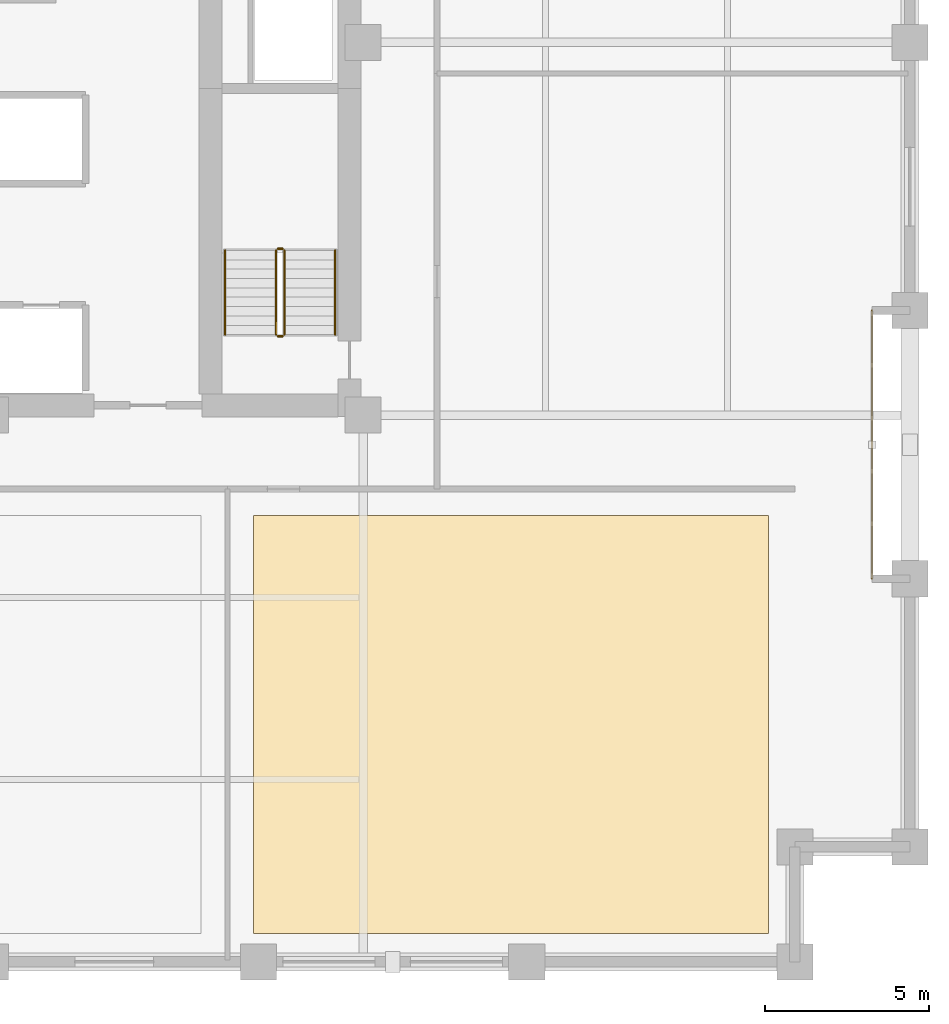
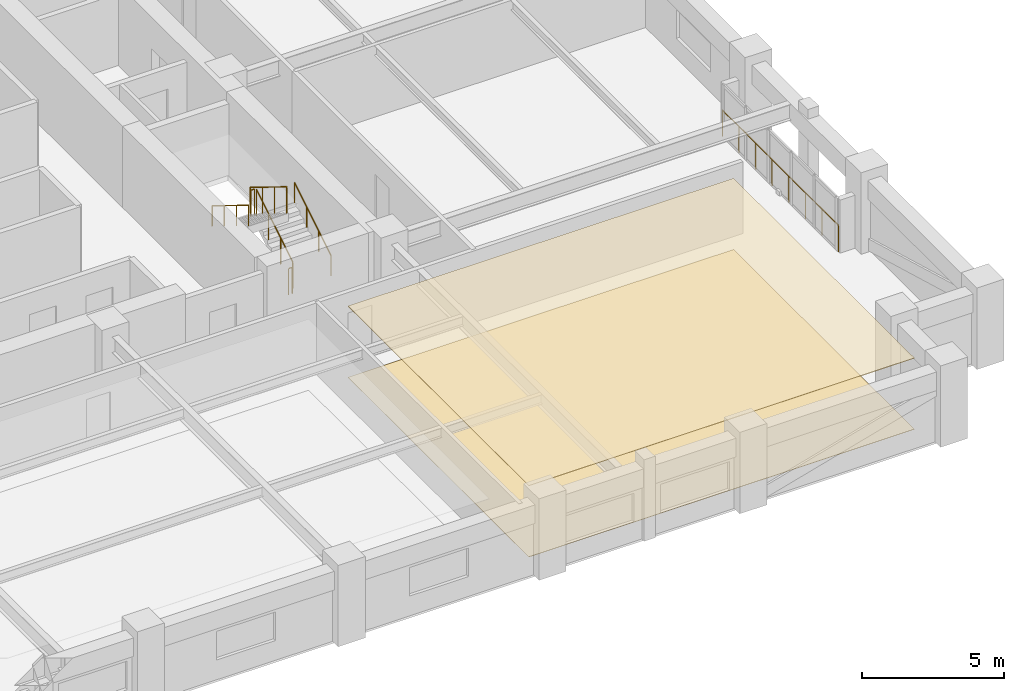
# One storey, part 10 of 12: 7 railings, 2 coverings.
"""IFC4 building model written with IfcOpenShell, lengths in metres."""

from ifc_helpers import new_model, si_unit, direction, frame, origin, origin_2d, place, context, subcontext, project, spatial, polyline, circle, outline, extrude, material, layer, layer_set, type_object, element, save


model = new_model("IFC4")

# Units and contexts
model_context = context("Model", 3, precision=1e-05, world=origin(), true_north=direction((0.0, 1.0)))
body_context = subcontext(model_context, "Body", "Model", "MODEL_VIEW")
ifc_project = project(units=[si_unit("LENGTHUNIT", "METRE"), si_unit("AREAUNIT", "SQUARE_METRE"), si_unit("VOLUMEUNIT", "CUBIC_METRE"), si_unit("PLANEANGLEUNIT", "RADIAN"), si_unit("MASSUNIT", "GRAM", prefix="KILO")], contexts=[model_context])

# Site, building, storey
site_placement = place(None, origin())
site = spatial("IfcSite", under=ifc_project, at=site_placement, CompositionType="ELEMENT")
building_placement = place(site_placement, origin())
building = spatial("IfcBuilding", under=site, at=building_placement, Name="Nhamokura Convention Tower", CompositionType="ELEMENT")
storey_placement = place(building_placement, frame((0.0, 0.0, 96.25)))
storey = spatial("IfcBuildingStorey", under=building, at=storey_placement, Name="L23", CompositionType="ELEMENT", Elevation=96.25)

# Covering
ifc_material_1 = material(Name="Mineral-fibre acoustic ceiling tile", Category="gypsum")
ifc_layer_1 = layer(ifc_material_1, 0.02490234375)
ifc_layer_set_1 = layer_set([ifc_layer_1], Name="AcousticTileCeiling_25")
covering_type_1 = type_object("IfcCoveringType", Name="AcousticTileCeiling_25", PredefinedType="CEILING", material=ifc_layer_set_1)
covering_1_placement = place(storey_placement, frame((0.0, 0.0, 3.054931640625)))
element("IfcCovering", 1, at=covering_1_placement, inside=storey, type_object=covering_type_1, Name="L23 Suspended Ceiling 02", PredefinedType="CEILING", context=body_context, shape_type="SweptSolid", body=[
    extrude(outline(polyline([(40.0166015625, 4.860107421875), (55.699951171875, 4.860107421875), (55.699951171875, 17.60009765625), (40.0166015625, 17.60009765625), (40.0166015625, 4.860107421875)])), origin(), (0.0, 0.0, 1.0), 0.025146484375),
])

# Railings
ifc_material_2 = material(Name="Anodised bronze stainless steel", Category="steel")
railing_type_1 = type_object("IfcRailingType", Name="StairWallHandrail_900", PredefinedType="HANDRAIL", material=ifc_material_2)
railing_1_placement = place(storey_placement, frame((42.5, 23.10009765625, 0.175048828125)))
element("IfcRailing", 2, at=railing_1_placement, inside=storey, type_object=railing_type_1, Name="L23 ST-02 stair handrail 1", PredefinedType="HANDRAIL", context=body_context, shape_type="SweptSolid", body=[
    extrude(circle(Radius=0.02392578125, at=origin_2d()), frame((0.0, 0.0, 0.8759765625), z_axis=(0.0, 0.852173129349, 0.523259933127), x_axis=(-1.0, 0.0, 0.0)), (0.0, 0.0, 1.0), 3.009765625),
    extrude(circle(Radius=0.02099609375, at=origin_2d()), origin(), (0.0, 0.0, 1.0), 0.851806640625),
    extrude(circle(Radius=0.02099609375, at=origin_2d()), frame((0.0, 0.85498046875, 0.52490234375)), (0.0, 0.0, 1.0), 0.851806640625),
    extrude(circle(Radius=0.02099609375, at=origin_2d()), frame((0.0, 1.7099609375, 1.050048828125)), (0.0, 0.0, 1.0), 0.851806640625),
    extrude(circle(Radius=0.02099609375, at=origin_2d()), frame((0.0, 2.56494140625, 1.574951171875)), (0.0, 0.0, 1.0), 0.851806640625),
])
railing_2_placement = place(storey_placement, frame((39.14990234375, 25.6650390625, 1.925048828125)))
element("IfcRailing", 3, at=railing_2_placement, inside=storey, type_object=railing_type_1, Name="L23 ST-02 stair handrail 2", PredefinedType="HANDRAIL", context=body_context, shape_type="SweptSolid", body=[
    extrude(circle(Radius=0.02392578125, at=origin_2d()), frame((0.0, 0.0, 0.8759765625), z_axis=(0.0, -0.852173129349, 0.523259933127), x_axis=(1.0, 0.0, 0.0)), (0.0, 0.0, 1.0), 3.009765625),
    extrude(circle(Radius=0.02099609375, at=origin_2d()), origin(), (0.0, 0.0, 1.0), 0.851806640625),
    extrude(circle(Radius=0.02099609375, at=origin_2d()), frame((0.0, -0.85498046875, 0.52490234375)), (0.0, 0.0, 1.0), 0.851806640625),
    extrude(circle(Radius=0.02099609375, at=origin_2d()), frame((0.0, -1.7099609375, 1.050048828125)), (0.0, 0.0, 1.0), 0.851806640625),
    extrude(circle(Radius=0.02099609375, at=origin_2d()), frame((0.0, -2.56494140625, 1.574951171875)), (0.0, 0.0, 1.0), 0.851806640625),
])
ifc_material_3 = material(Name="Painted tubular steel", Category="steel")
railing_type_2 = type_object("IfcRailingType", Name="StairWellGuardrail_1150", PredefinedType="GUARDRAIL", material=ifc_material_3)
railing_3_placement = place(storey_placement, frame((40.949951171875, 23.10009765625, 0.175048828125)))
element("IfcRailing", 4, at=railing_3_placement, inside=storey, type_object=railing_type_2, Name="L23 ST-02 stair guard 1", PredefinedType="GUARDRAIL", context=body_context, shape_type="SweptSolid", body=[
    extrude(circle(Radius=0.02392578125, at=origin_2d()), frame((0.0, 0.0, 1.1259765625), z_axis=(0.0, 0.852173129349, 0.523259933127), x_axis=(-1.0, 0.0, 0.0)), (0.0, 0.0, 1.0), 3.009765625),
    extrude(circle(Radius=0.02099609375, at=origin_2d()), origin(), (0.0, 0.0, 1.0), 1.101806640625),
    extrude(circle(Radius=0.02099609375, at=origin_2d()), frame((0.0, 0.85498046875, 0.52490234375)), (0.0, 0.0, 1.0), 1.101806640625),
    extrude(circle(Radius=0.02099609375, at=origin_2d()), frame((0.0, 1.7099609375, 1.050048828125)), (0.0, 0.0, 1.0), 1.101806640625),
    extrude(circle(Radius=0.02099609375, at=origin_2d()), frame((0.0, 2.56494140625, 1.574951171875)), (0.0, 0.0, 1.0), 1.101806640625),
])
railing_4_placement = place(storey_placement, frame((40.89990234375, 25.715087890625, 1.75)))
element("IfcRailing", 5, at=railing_4_placement, inside=storey, type_object=railing_type_2, Name="L23 ST-02 stair guard 2", PredefinedType="GUARDRAIL", context=body_context, shape_type="SweptSolid", body=[
    extrude(circle(Radius=0.02392578125, at=origin_2d()), frame((0.0, 0.0, 1.1259765625), z_axis=(-1.0, 0.0, 0.0), x_axis=(0.0, -1.0, 0.0)), (0.0, 0.0, 1.0), 0.14990234375),
    extrude(circle(Radius=0.02099609375, at=origin_2d()), origin(), (0.0, 0.0, 1.0), 1.101806640625),
    extrude(circle(Radius=0.02099609375, at=origin_2d()), frame((-0.14990234375, 0.0, 0.0)), (0.0, 0.0, 1.0), 1.101806640625),
])
railing_5_placement = place(storey_placement, frame((40.699951171875, 25.6650390625, 1.925048828125)))
element("IfcRailing", 6, at=railing_5_placement, inside=storey, type_object=railing_type_2, Name="L23 ST-02 stair guard 3", PredefinedType="GUARDRAIL", context=body_context, shape_type="SweptSolid", body=[
    extrude(circle(Radius=0.02392578125, at=origin_2d()), frame((0.0, 0.0, 1.1259765625), z_axis=(0.0, -0.852173129349, 0.523259933127), x_axis=(1.0, 0.0, 0.0)), (0.0, 0.0, 1.0), 3.009765625),
    extrude(circle(Radius=0.02099609375, at=origin_2d()), origin(), (0.0, 0.0, 1.0), 1.101806640625),
    extrude(circle(Radius=0.02099609375, at=origin_2d()), frame((0.0, -0.85498046875, 0.52490234375)), (0.0, 0.0, 1.0), 1.101806640625),
    extrude(circle(Radius=0.02099609375, at=origin_2d()), frame((0.0, -1.7099609375, 1.050048828125)), (0.0, 0.0, 1.0), 1.101806640625),
    extrude(circle(Radius=0.02099609375, at=origin_2d()), frame((0.0, -2.56494140625, 1.574951171875)), (0.0, 0.0, 1.0), 1.101806640625),
])
railing_6_placement = place(storey_placement, frame((40.89990234375, 23.050048828125, 0.0)))
element("IfcRailing", 7, at=railing_6_placement, inside=storey, type_object=railing_type_2, Name="L23 ST-02 stair guard 4", PredefinedType="GUARDRAIL", context=body_context, shape_type="SweptSolid", body=[
    extrude(circle(Radius=0.02392578125, at=origin_2d()), frame((0.0, 0.0, 1.1259765625), z_axis=(-1.0, 0.0, 0.0), x_axis=(0.0, -1.0, 0.0)), (0.0, 0.0, 1.0), 0.14990234375),
    extrude(circle(Radius=0.02099609375, at=origin_2d()), origin(), (0.0, 0.0, 1.0), 1.101806640625),
    extrude(circle(Radius=0.02099609375, at=origin_2d()), frame((-0.14990234375, 0.0, 0.0)), (0.0, 0.0, 1.0), 1.101806640625),
])
ifc_material_4 = material(Name="Anodised bronze stainless steel", Category="steel")
railing_type_3 = type_object("IfcRailingType", Name="TerraceGuardrail_1150", PredefinedType="GUARDRAIL", material=ifc_material_4)
railing_7_placement = place(storey_placement, frame((58.85009765625, 23.833251953125, 0.0)))
element("IfcRailing", 8, at=railing_7_placement, inside=storey, type_object=railing_type_3, Name="L23 Scale-Slot Edge Guardrail EAST 1", PredefinedType="GUARDRAIL", context=body_context, shape_type="SweptSolid", body=[
    extrude(circle(Radius=0.02392578125, at=origin_2d()), frame((0.0, 0.0, 1.1259765625), z_axis=(0.0, -1.0, 0.0), x_axis=(1.0, 0.0, 0.0)), (0.0, 0.0, 1.0), 8.16650390625),
    extrude(circle(Radius=0.02099609375, at=origin_2d()), origin(), (0.0, 0.0, 1.0), 1.101806640625),
    extrude(circle(Radius=0.02099609375, at=origin_2d()), frame((0.0, -1.166748046875, 0.0)), (0.0, 0.0, 1.0), 1.101806640625),
    extrude(circle(Radius=0.02099609375, at=origin_2d()), frame((0.0, -2.333251953125, 0.0)), (0.0, 0.0, 1.0), 1.101806640625),
    extrude(circle(Radius=0.02099609375, at=origin_2d()), frame((0.0, -3.5, 0.0)), (0.0, 0.0, 1.0), 1.101806640625),
    extrude(circle(Radius=0.02099609375, at=origin_2d()), frame((0.0, -4.66650390625, 0.0)), (0.0, 0.0, 1.0), 1.101806640625),
    extrude(circle(Radius=0.02099609375, at=origin_2d()), frame((0.0, -5.833251953125, 0.0)), (0.0, 0.0, 1.0), 1.101806640625),
    extrude(circle(Radius=0.02099609375, at=origin_2d()), frame((0.0, -6.999755859375, 0.0)), (0.0, 0.0, 1.0), 1.101806640625),
    extrude(circle(Radius=0.02099609375, at=origin_2d()), frame((0.0, -8.16650390625, 0.0)), (0.0, 0.0, 1.0), 1.101806640625),
])

# Covering
ifc_material_5 = material(Name="Acoustic woven hospitality carpet", Category="wood")
ifc_layer_2 = layer(ifc_material_5, 0.014892578125)
ifc_layer_set_2 = layer_set([ifc_layer_2], Name="WovenCarpetFlooring_15")
covering_type_2 = type_object("IfcCoveringType", Name="WovenCarpetFlooring_15", PredefinedType="FLOORING", material=ifc_layer_set_2)
covering_2_placement = place(storey_placement, origin())
element("IfcCovering", 9, at=covering_2_placement, inside=storey, type_object=covering_type_2, Name="L23 Finish Flooring 02", PredefinedType="FLOORING", context=body_context, shape_type="SweptSolid", body=[
    extrude(outline(polyline([(40.0166015625, 4.860107421875), (55.699951171875, 4.860107421875), (55.699951171875, 17.60009765625), (40.0166015625, 17.60009765625), (40.0166015625, 4.860107421875)])), origin(), (0.0, 0.0, 1.0), 0.014892578125),
])

save(model, "model.ifc")
